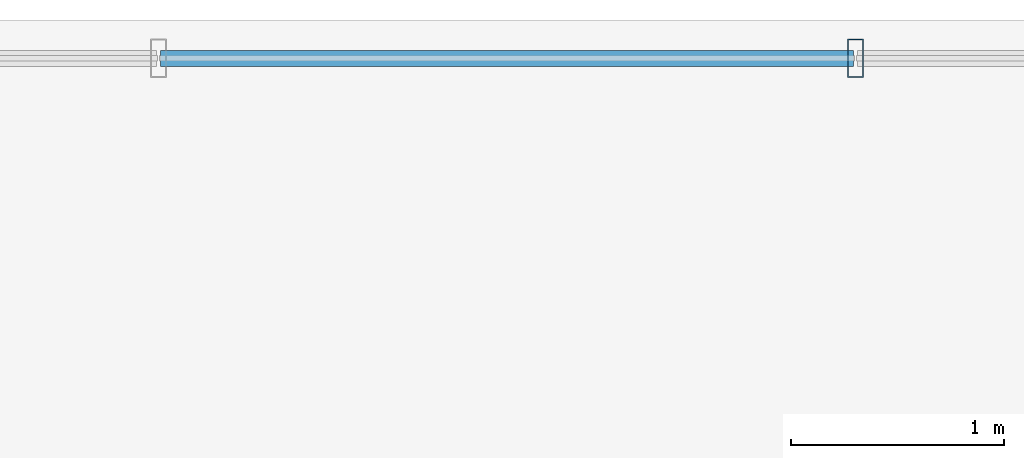
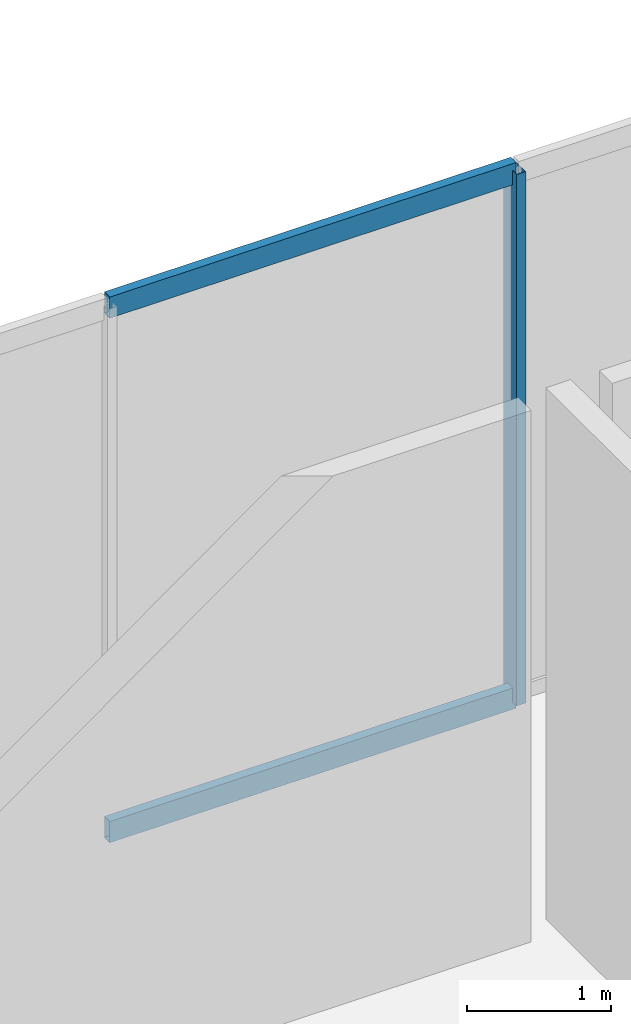
# One storey, part 4 of 15: 3 members, 1 element without a shape of its own.
"""IFC4 building model written with IfcOpenShell, lengths in metres."""

from ifc_helpers import new_model, si_unit, direction, frame, origin, origin_2d, place, context, subcontext, project, spatial, hollow_rectangle, extrude, material, material_profile, profile_set, type_object, element, aggregate, save


model = new_model("IFC4")

# Units and contexts
model_context = context("Model", 3, precision=1e-05, world=origin(), true_north=direction((0.0, 1.0)))
body_context = subcontext(model_context, "Body", "Model", "MODEL_VIEW")
ifc_project = project(units=[si_unit("LENGTHUNIT", "METRE"), si_unit("AREAUNIT", "SQUARE_METRE"), si_unit("VOLUMEUNIT", "CUBIC_METRE"), si_unit("PLANEANGLEUNIT", "RADIAN"), si_unit("MASSUNIT", "GRAM", prefix="KILO")], contexts=[model_context])

# Site, building, storey
site_placement = place(None, origin())
site = spatial("IfcSite", under=ifc_project, at=site_placement, CompositionType="ELEMENT")
building_placement = place(site_placement, origin())
building = spatial("IfcBuilding", under=site, at=building_placement, Name="Ventersveld Concourse Tower", CompositionType="ELEMENT")
storey_placement = place(building_placement, frame((0.0, 0.0, 5.39990234375)))
storey = spatial("IfcBuildingStorey", under=building, at=storey_placement, Name="L01", CompositionType="ELEMENT", Elevation=5.39990234375)

# Curtain wall, members
ifc_material = material(Name="Anodised aluminium EN AW-6063-T6", Category="aluminium")
curtain_wall_type = type_object("IfcCurtainWallType", Name="CW-POD-2", PredefinedType="NOTDEFINED", material=ifc_material)
curtain_wall_placement = place(storey_placement, origin())
curtain_wall = element("IfcCurtainWall", 1, at=curtain_wall_placement, inside=storey, type_object=curtain_wall_type, Name="L01 L01 Podium Gallery Curtain Wall 2", PredefinedType="NOTDEFINED")
ifc_material_profile_1 = material_profile(ifc_material, hollow_rectangle(XDim=0.074951171875, YDim=0.179931640625, WallThickness=0.00390625, at=origin_2d()), Name="ALU 180x75x4")
ifc_profile_set_1 = profile_set([ifc_material_profile_1], Name="Anodised aluminium EN AW-6063-T6")
member_type_1 = type_object("IfcMemberType", Name="CWM-180x75", PredefinedType="MULLION", material=ifc_profile_set_1)
member_1_placement = place(storey_placement, frame((21.25, 49.52001953125, 0.0), z_axis=(0.0, 0.0, 1.0), x_axis=(1.0, 0.0, 0.0)))
member_1 = element("IfcMember", 2, at=member_1_placement, type_object=member_type_1, Name="CW-L01-N2 Mullion 03", PredefinedType="MULLION", context=body_context, shape_type="SweptSolid", body=[
    extrude(hollow_rectangle(XDim=0.074951171875, YDim=0.179931640625, WallThickness=0.00390625, at=origin_2d()), origin(), (0.0, 0.0, 1.0), 4.5),
])
ifc_material_profile_2 = material_profile(ifc_material, hollow_rectangle(XDim=0.074951171875, YDim=0.179931640625, WallThickness=0.00390625, at=origin_2d()), Name="ALU 180x75x4")
ifc_profile_set_2 = profile_set([ifc_material_profile_2], Name="Anodised aluminium EN AW-6063-T6")
member_type_2 = type_object("IfcMemberType", Name="CWT-180x75", PredefinedType="USERDEFINED", material=ifc_profile_set_2)
member_2_placement = place(storey_placement, frame((17.985107421875, 49.52001953125, 0.030029296875), z_axis=(1.0, 0.0, 0.0), x_axis=(0.0, 1.0, 0.0)))
member_2 = element("IfcMember", 3, at=member_2_placement, type_object=member_type_2, Name="CW-L01-N2 Transom 1-02", ObjectType="TRANSOM", PredefinedType="USERDEFINED", context=body_context, shape_type="SweptSolid", body=[
    extrude(hollow_rectangle(XDim=0.074951171875, YDim=0.179931640625, WallThickness=0.00390625, at=origin_2d()), origin(), (0.0, 0.0, 1.0), 3.2548828125),
])
member_3_placement = place(storey_placement, frame((17.985107421875, 49.52001953125, 4.47021484375), z_axis=(1.0, 0.0, 0.0), x_axis=(0.0, 1.0, 0.0)))
member_3 = element("IfcMember", 4, at=member_3_placement, type_object=member_type_2, Name="CW-L01-N2 Transom 2-02", ObjectType="TRANSOM", PredefinedType="USERDEFINED", context=body_context, shape_type="SweptSolid", body=[
    extrude(hollow_rectangle(XDim=0.074951171875, YDim=0.179931640625, WallThickness=0.00390625, at=origin_2d()), origin(), (0.0, 0.0, 1.0), 3.2548828125),
])
aggregate(curtain_wall, [member_1, member_2, member_3])

save(model, "model.ifc")
